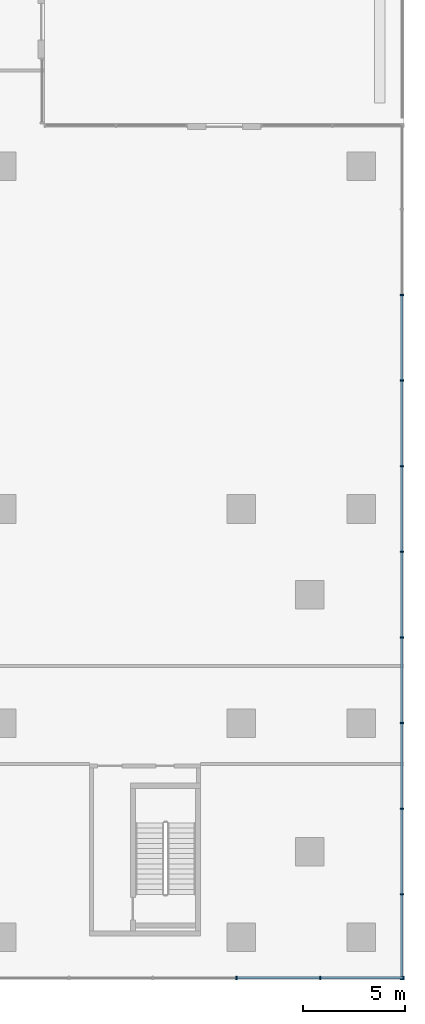
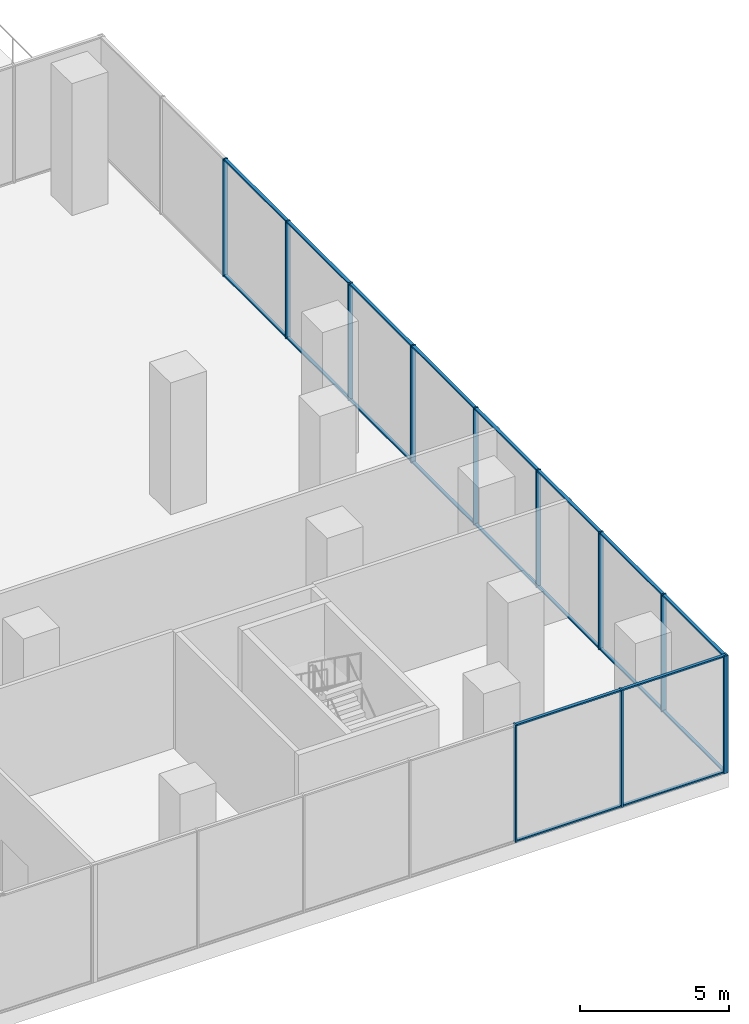
# One storey, part 8 of 23: 32 members, 2 elements without a shape of their own.
"""IFC4 building model written with IfcOpenShell, lengths in metres."""

from ifc_helpers import new_model, si_unit, direction, frame, origin, origin_2d, place, context, subcontext, project, spatial, rectangle, extrude, source, transform, mapped, material, layer, layer_set, material_profile, profile_set, type_object, element, aggregate, save


model = new_model("IFC4")

# Units and contexts
model_context = context("Model", 3, precision=1e-05, world=origin(), true_north=direction((0.0, 1.0)))
body_context = subcontext(model_context, "Body", "Model", "MODEL_VIEW")
ifc_project = project(units=[si_unit("LENGTHUNIT", "METRE"), si_unit("AREAUNIT", "SQUARE_METRE"), si_unit("VOLUMEUNIT", "CUBIC_METRE"), si_unit("PLANEANGLEUNIT", "RADIAN"), si_unit("MASSUNIT", "GRAM", prefix="KILO")], contexts=[model_context])

# Site, building, storey
site_placement = place(None, origin())
site = spatial("IfcSite", under=ifc_project, at=site_placement, CompositionType="ELEMENT")
building_placement = place(site_placement, origin())
building = spatial("IfcBuilding", under=site, at=building_placement, Name="Aurelian Terraces", CompositionType="ELEMENT")
storey_placement = place(building_placement, frame((0.0, 0.0, 23.7)))
storey = spatial("IfcBuildingStorey", under=building, at=storey_placement, Name="L04", CompositionType="ELEMENT", Elevation=23.7)

# Curtain wall, members
ifc_material_1 = material(Name="Anodised aluminium and clear glazing", Category="aluminium")
ifc_layer = layer(ifc_material_1, 0.2)
ifc_layer_set = layer_set([ifc_layer], Name="Winter garden glazing curtain wall")
curtain_wall_type = type_object("IfcCurtainWallType", Name="Winter garden glazing curtain wall", PredefinedType="NOTDEFINED", material=ifc_layer_set)
curtain_wall_1_placement = place(storey_placement, origin())
curtain_wall_1 = element("IfcCurtainWall", 1, at=curtain_wall_1_placement, inside=storey, type_object=curtain_wall_type, Name="Winter garden glazing L04 F01.1", PredefinedType="NOTDEFINED")
ifc_material_2 = material(Name="Anodised aluminium", Category="aluminium")
ifc_material_profile_1 = material_profile(ifc_material_2, rectangle(XDim=0.18, YDim=0.06, at=origin_2d()))
ifc_profile_set_1 = profile_set([ifc_material_profile_1], Name="Anodised aluminium")
member_type_1 = type_object("IfcMemberType", Name="Winter garden glazing mullion", PredefinedType="MULLION", material=ifc_profile_set_1)
shared_shape_1 = source(origin(), body_context, "Body", "SweptSolid", [
    extrude(rectangle(XDim=0.18, YDim=0.06, at=origin_2d()), origin(), (0.0, 0.0, 1.0), 4.8),
])
member_1_placement = place(storey_placement, frame((63.6067, -2.0, 0.0), z_axis=(0.0, 0.0, 1.0), x_axis=(0.0, 1.0, 0.0)))
member_1 = element("IfcMember", 2, at=member_1_placement, type_object=member_type_1, Name="CW6 mullion 17", PredefinedType="MULLION", context=body_context, shape_type="MappedRepresentation", body=[
    mapped(shared_shape_1, transform((0.0, 0.0, 0.0), scale=1.0)),
])
member_2_placement = place(storey_placement, frame((67.7133, -2.0, 0.0), z_axis=(0.0, 0.0, 1.0), x_axis=(0.0, 1.0, 0.0)))
member_2 = element("IfcMember", 3, at=member_2_placement, type_object=member_type_1, Name="CW6 mullion 18", PredefinedType="MULLION", context=body_context, shape_type="MappedRepresentation", body=[
    mapped(shared_shape_1, transform((0.0, 0.0, 0.0), scale=1.0)),
])
member_3_placement = place(storey_placement, frame((71.79, -2.0, 0.0), z_axis=(0.0, 0.0, 1.0), x_axis=(0.0, 1.0, 0.0)))
member_3 = element("IfcMember", 4, at=member_3_placement, type_object=member_type_1, Name="CW6 mullion 19", PredefinedType="MULLION", context=body_context, shape_type="MappedRepresentation", body=[
    mapped(shared_shape_1, transform((0.0, 0.0, 0.0), scale=1.0)),
])

curtain_wall_2_placement = place(storey_placement, origin())
curtain_wall_2 = element("IfcCurtainWall", 5, at=curtain_wall_2_placement, inside=storey, type_object=curtain_wall_type, Name="Winter garden glazing L04 F02.1", PredefinedType="NOTDEFINED")
member_4_placement = place(storey_placement, frame((71.72, -2.07, 0.0), z_axis=(0.0, 0.0, 1.0), x_axis=(-1.0, 0.0, 0.0)))
member_4 = element("IfcMember", 6, at=member_4_placement, type_object=member_type_1, Name="CW6 mullion 1", PredefinedType="MULLION", context=body_context, shape_type="MappedRepresentation", body=[
    mapped(shared_shape_1, transform((0.0, 0.0, 0.0), scale=1.0)),
])
member_5_placement = place(storey_placement, frame((71.72, 2.1, 0.0), z_axis=(0.0, 0.0, 1.0), x_axis=(-1.0, 0.0, 0.0)))
member_5 = element("IfcMember", 7, at=member_5_placement, type_object=member_type_1, Name="CW6 mullion 2", PredefinedType="MULLION", context=body_context, shape_type="MappedRepresentation", body=[
    mapped(shared_shape_1, transform((0.0, 0.0, 0.0), scale=1.0)),
])
member_6_placement = place(storey_placement, frame((71.72, 6.3, 0.0), z_axis=(0.0, 0.0, 1.0), x_axis=(-1.0, 0.0, 0.0)))
member_6 = element("IfcMember", 8, at=member_6_placement, type_object=member_type_1, Name="CW6 mullion 3", PredefinedType="MULLION", context=body_context, shape_type="MappedRepresentation", body=[
    mapped(shared_shape_1, transform((0.0, 0.0, 0.0), scale=1.0)),
])
member_7_placement = place(storey_placement, frame((71.72, 10.5, 0.0), z_axis=(0.0, 0.0, 1.0), x_axis=(-1.0, 0.0, 0.0)))
member_7 = element("IfcMember", 9, at=member_7_placement, type_object=member_type_1, Name="CW6 mullion 4", PredefinedType="MULLION", context=body_context, shape_type="MappedRepresentation", body=[
    mapped(shared_shape_1, transform((0.0, 0.0, 0.0), scale=1.0)),
])
member_8_placement = place(storey_placement, frame((71.72, 14.7, 0.0), z_axis=(0.0, 0.0, 1.0), x_axis=(-1.0, 0.0, 0.0)))
member_8 = element("IfcMember", 10, at=member_8_placement, type_object=member_type_1, Name="CW6 mullion 5", PredefinedType="MULLION", context=body_context, shape_type="MappedRepresentation", body=[
    mapped(shared_shape_1, transform((0.0, 0.0, 0.0), scale=1.0)),
])
member_9_placement = place(storey_placement, frame((71.72, 18.9, 0.0), z_axis=(0.0, 0.0, 1.0), x_axis=(-1.0, 0.0, 0.0)))
member_9 = element("IfcMember", 11, at=member_9_placement, type_object=member_type_1, Name="CW6 mullion 6", PredefinedType="MULLION", context=body_context, shape_type="MappedRepresentation", body=[
    mapped(shared_shape_1, transform((0.0, 0.0, 0.0), scale=1.0)),
])
member_10_placement = place(storey_placement, frame((71.72, 23.1, 0.0), z_axis=(0.0, 0.0, 1.0), x_axis=(-1.0, 0.0, 0.0)))
member_10 = element("IfcMember", 12, at=member_10_placement, type_object=member_type_1, Name="CW6 mullion 7", PredefinedType="MULLION", context=body_context, shape_type="MappedRepresentation", body=[
    mapped(shared_shape_1, transform((0.0, 0.0, 0.0), scale=1.0)),
])
member_11_placement = place(storey_placement, frame((71.72, 27.3, 0.0), z_axis=(0.0, 0.0, 1.0), x_axis=(-1.0, 0.0, 0.0)))
member_11 = element("IfcMember", 13, at=member_11_placement, type_object=member_type_1, Name="CW6 mullion 8", PredefinedType="MULLION", context=body_context, shape_type="MappedRepresentation", body=[
    mapped(shared_shape_1, transform((0.0, 0.0, 0.0), scale=1.0)),
])
member_12_placement = place(storey_placement, frame((71.72, 31.5, 0.0), z_axis=(0.0, 0.0, 1.0), x_axis=(-1.0, 0.0, 0.0)))
member_12 = element("IfcMember", 14, at=member_12_placement, type_object=member_type_1, Name="CW6 mullion 9", PredefinedType="MULLION", context=body_context, shape_type="MappedRepresentation", body=[
    mapped(shared_shape_1, transform((0.0, 0.0, 0.0), scale=1.0)),
])
ifc_material_profile_2 = material_profile(ifc_material_2, rectangle(XDim=0.12, YDim=0.06, at=origin_2d()))
ifc_profile_set_2 = profile_set([ifc_material_profile_2], Name="Anodised aluminium")
member_type_2 = type_object("IfcMemberType", Name="Winter garden glazing transom", PredefinedType="USERDEFINED", material=ifc_profile_set_2)
shared_shape_2 = source(origin(), body_context, "Body", "SweptSolid", [
    extrude(rectangle(XDim=0.12, YDim=0.06, at=origin_2d()), origin(), (0.0, 0.0, 1.0), 4.11),
])
member_13_placement = place(storey_placement, frame((71.72, -2.04, 0.03), z_axis=(0.0, 1.0, 0.0), x_axis=(-1.0, 0.0, 0.0)))
member_13 = element("IfcMember", 15, at=member_13_placement, type_object=member_type_2, Name="CW6 transom 1.1", ObjectType="TRANSOM", PredefinedType="USERDEFINED", context=body_context, shape_type="MappedRepresentation", body=[
    mapped(shared_shape_2, transform((0.0, 0.0, 0.0), scale=1.0)),
])
member_14_placement = place(storey_placement, frame((71.72, -2.04, 4.77), z_axis=(0.0, 1.0, 0.0), x_axis=(-1.0, 0.0, 0.0)))
member_14 = element("IfcMember", 16, at=member_14_placement, type_object=member_type_2, Name="CW6 transom 1.2", ObjectType="TRANSOM", PredefinedType="USERDEFINED", context=body_context, shape_type="MappedRepresentation", body=[
    mapped(shared_shape_2, transform((0.0, 0.0, 0.0), scale=1.0)),
])
shared_shape_3 = source(origin(), body_context, "Body", "SweptSolid", [
    extrude(rectangle(XDim=0.12, YDim=0.06, at=origin_2d()), origin(), (0.0, 0.0, 1.0), 4.14),
])
member_15_placement = place(storey_placement, frame((71.72, 2.13, 0.03), z_axis=(0.0, 1.0, 0.0), x_axis=(-1.0, 0.0, 0.0)))
member_15 = element("IfcMember", 17, at=member_15_placement, type_object=member_type_2, Name="CW6 transom 2.1", ObjectType="TRANSOM", PredefinedType="USERDEFINED", context=body_context, shape_type="MappedRepresentation", body=[
    mapped(shared_shape_3, transform((0.0, 0.0, 0.0), scale=1.0)),
])
member_16_placement = place(storey_placement, frame((71.72, 2.13, 4.77), z_axis=(0.0, 1.0, 0.0), x_axis=(-1.0, 0.0, 0.0)))
member_16 = element("IfcMember", 18, at=member_16_placement, type_object=member_type_2, Name="CW6 transom 2.2", ObjectType="TRANSOM", PredefinedType="USERDEFINED", context=body_context, shape_type="MappedRepresentation", body=[
    mapped(shared_shape_3, transform((0.0, 0.0, 0.0), scale=1.0)),
])
member_17_placement = place(storey_placement, frame((71.72, 6.33, 0.03), z_axis=(0.0, 1.0, 0.0), x_axis=(-1.0, 0.0, 0.0)))
member_17 = element("IfcMember", 19, at=member_17_placement, type_object=member_type_2, Name="CW6 transom 3.1", ObjectType="TRANSOM", PredefinedType="USERDEFINED", context=body_context, shape_type="MappedRepresentation", body=[
    mapped(shared_shape_3, transform((0.0, 0.0, 0.0), scale=1.0)),
])
member_18_placement = place(storey_placement, frame((71.72, 6.33, 4.77), z_axis=(0.0, 1.0, 0.0), x_axis=(-1.0, 0.0, 0.0)))
member_18 = element("IfcMember", 20, at=member_18_placement, type_object=member_type_2, Name="CW6 transom 3.2", ObjectType="TRANSOM", PredefinedType="USERDEFINED", context=body_context, shape_type="MappedRepresentation", body=[
    mapped(shared_shape_3, transform((0.0, 0.0, 0.0), scale=1.0)),
])
member_19_placement = place(storey_placement, frame((71.72, 10.53, 0.03), z_axis=(0.0, 1.0, 0.0), x_axis=(-1.0, 0.0, 0.0)))
member_19 = element("IfcMember", 21, at=member_19_placement, type_object=member_type_2, Name="CW6 transom 4.1", ObjectType="TRANSOM", PredefinedType="USERDEFINED", context=body_context, shape_type="MappedRepresentation", body=[
    mapped(shared_shape_3, transform((0.0, 0.0, 0.0), scale=1.0)),
])
member_20_placement = place(storey_placement, frame((71.72, 10.53, 4.77), z_axis=(0.0, 1.0, 0.0), x_axis=(-1.0, 0.0, 0.0)))
member_20 = element("IfcMember", 22, at=member_20_placement, type_object=member_type_2, Name="CW6 transom 4.2", ObjectType="TRANSOM", PredefinedType="USERDEFINED", context=body_context, shape_type="MappedRepresentation", body=[
    mapped(shared_shape_3, transform((0.0, 0.0, 0.0), scale=1.0)),
])
member_21_placement = place(storey_placement, frame((71.72, 14.73, 0.03), z_axis=(0.0, 1.0, 0.0), x_axis=(-1.0, 0.0, 0.0)))
member_21 = element("IfcMember", 23, at=member_21_placement, type_object=member_type_2, Name="CW6 transom 5.1", ObjectType="TRANSOM", PredefinedType="USERDEFINED", context=body_context, shape_type="MappedRepresentation", body=[
    mapped(shared_shape_3, transform((0.0, 0.0, 0.0), scale=1.0)),
])
member_22_placement = place(storey_placement, frame((71.72, 14.73, 4.77), z_axis=(0.0, 1.0, 0.0), x_axis=(-1.0, 0.0, 0.0)))
member_22 = element("IfcMember", 24, at=member_22_placement, type_object=member_type_2, Name="CW6 transom 5.2", ObjectType="TRANSOM", PredefinedType="USERDEFINED", context=body_context, shape_type="MappedRepresentation", body=[
    mapped(shared_shape_3, transform((0.0, 0.0, 0.0), scale=1.0)),
])
member_23_placement = place(storey_placement, frame((71.72, 18.93, 0.03), z_axis=(0.0, 1.0, 0.0), x_axis=(-1.0, 0.0, 0.0)))
member_23 = element("IfcMember", 25, at=member_23_placement, type_object=member_type_2, Name="CW6 transom 6.1", ObjectType="TRANSOM", PredefinedType="USERDEFINED", context=body_context, shape_type="MappedRepresentation", body=[
    mapped(shared_shape_3, transform((0.0, 0.0, 0.0), scale=1.0)),
])
member_24_placement = place(storey_placement, frame((71.72, 18.93, 4.77), z_axis=(0.0, 1.0, 0.0), x_axis=(-1.0, 0.0, 0.0)))
member_24 = element("IfcMember", 26, at=member_24_placement, type_object=member_type_2, Name="CW6 transom 6.2", ObjectType="TRANSOM", PredefinedType="USERDEFINED", context=body_context, shape_type="MappedRepresentation", body=[
    mapped(shared_shape_3, transform((0.0, 0.0, 0.0), scale=1.0)),
])
member_25_placement = place(storey_placement, frame((71.72, 23.13, 0.03), z_axis=(0.0, 1.0, 0.0), x_axis=(-1.0, 0.0, 0.0)))
member_25 = element("IfcMember", 27, at=member_25_placement, type_object=member_type_2, Name="CW6 transom 7.1", ObjectType="TRANSOM", PredefinedType="USERDEFINED", context=body_context, shape_type="MappedRepresentation", body=[
    mapped(shared_shape_3, transform((0.0, 0.0, 0.0), scale=1.0)),
])
member_26_placement = place(storey_placement, frame((71.72, 23.13, 4.77), z_axis=(0.0, 1.0, 0.0), x_axis=(-1.0, 0.0, 0.0)))
member_26 = element("IfcMember", 28, at=member_26_placement, type_object=member_type_2, Name="CW6 transom 7.2", ObjectType="TRANSOM", PredefinedType="USERDEFINED", context=body_context, shape_type="MappedRepresentation", body=[
    mapped(shared_shape_3, transform((0.0, 0.0, 0.0), scale=1.0)),
])
member_27_placement = place(storey_placement, frame((71.72, 27.33, 0.03), z_axis=(0.0, 1.0, 0.0), x_axis=(-1.0, 0.0, 0.0)))
member_27 = element("IfcMember", 29, at=member_27_placement, type_object=member_type_2, Name="CW6 transom 8.1", ObjectType="TRANSOM", PredefinedType="USERDEFINED", context=body_context, shape_type="MappedRepresentation", body=[
    mapped(shared_shape_3, transform((0.0, 0.0, 0.0), scale=1.0)),
])
member_28_placement = place(storey_placement, frame((71.72, 27.33, 4.77), z_axis=(0.0, 1.0, 0.0), x_axis=(-1.0, 0.0, 0.0)))
member_28 = element("IfcMember", 30, at=member_28_placement, type_object=member_type_2, Name="CW6 transom 8.2", ObjectType="TRANSOM", PredefinedType="USERDEFINED", context=body_context, shape_type="MappedRepresentation", body=[
    mapped(shared_shape_3, transform((0.0, 0.0, 0.0), scale=1.0)),
])
aggregate(curtain_wall_2, [member_4, member_5, member_6, member_7, member_8, member_9, member_10, member_11, member_12, member_13, member_14, member_15, member_16, member_17, member_18, member_19, member_20, member_21, member_22, member_23, member_24, member_25, member_26, member_27, member_28])

# Member
shared_shape_4 = source(origin(), body_context, "Body", "SweptSolid", [
    extrude(rectangle(XDim=0.12, YDim=0.06, at=origin_2d()), origin(), (0.0, 0.0, 1.0), 4.0167),
])
member_29_placement = place(storey_placement, frame((67.7433, -2.0, 0.03), z_axis=(1.0, 0.0, 0.0), x_axis=(0.0, 1.0, 0.0)))
member_29 = element("IfcMember", 31, at=member_29_placement, type_object=member_type_2, Name="CW6 transom 18.1", ObjectType="TRANSOM", PredefinedType="USERDEFINED", context=body_context, shape_type="MappedRepresentation", body=[
    mapped(shared_shape_4, transform((0.0, 0.0, 0.0), scale=1.0)),
])

member_30_placement = place(storey_placement, frame((67.7433, -2.0, 4.77), z_axis=(1.0, 0.0, 0.0), x_axis=(0.0, 1.0, 0.0)))
member_30 = element("IfcMember", 32, at=member_30_placement, type_object=member_type_2, Name="CW6 transom 18.2", ObjectType="TRANSOM", PredefinedType="USERDEFINED", context=body_context, shape_type="MappedRepresentation", body=[
    mapped(shared_shape_4, transform((0.0, 0.0, 0.0), scale=1.0)),
])

shared_shape_5 = source(origin(), body_context, "Body", "SweptSolid", [
    extrude(rectangle(XDim=0.12, YDim=0.06, at=origin_2d()), origin(), (0.0, 0.0, 1.0), 4.0466),
])
member_31_placement = place(storey_placement, frame((63.6367, -2.0, 0.03), z_axis=(1.0, 0.0, 0.0), x_axis=(0.0, 1.0, 0.0)))
member_31 = element("IfcMember", 33, at=member_31_placement, type_object=member_type_2, Name="CW6 transom 17.1", ObjectType="TRANSOM", PredefinedType="USERDEFINED", context=body_context, shape_type="MappedRepresentation", body=[
    mapped(shared_shape_5, transform((0.0, 0.0, 0.0), scale=1.0)),
])

member_32_placement = place(storey_placement, frame((63.6367, -2.0, 4.77), z_axis=(1.0, 0.0, 0.0), x_axis=(0.0, 1.0, 0.0)))
member_32 = element("IfcMember", 34, at=member_32_placement, type_object=member_type_2, Name="CW6 transom 17.2", ObjectType="TRANSOM", PredefinedType="USERDEFINED", context=body_context, shape_type="MappedRepresentation", body=[
    mapped(shared_shape_5, transform((0.0, 0.0, 0.0), scale=1.0)),
])

aggregate(curtain_wall_1, [member_1, member_2, member_3, member_31, member_32, member_29, member_30])

save(model, "model.ifc")
